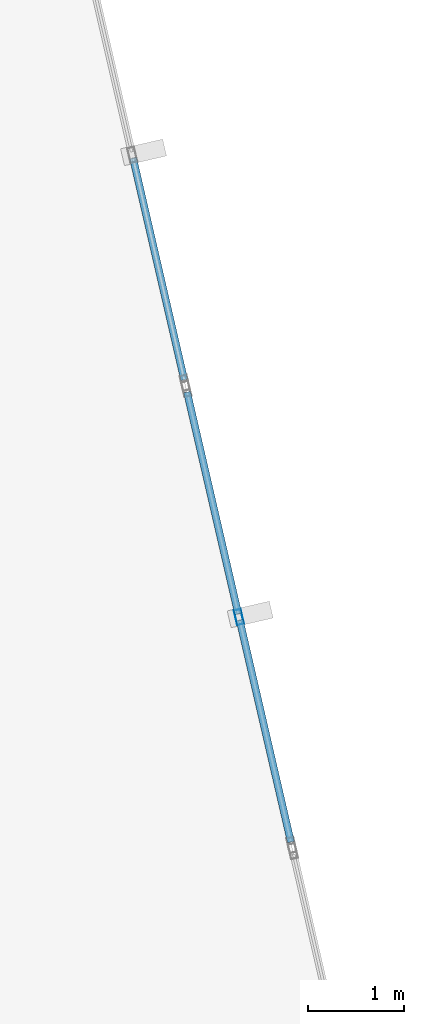
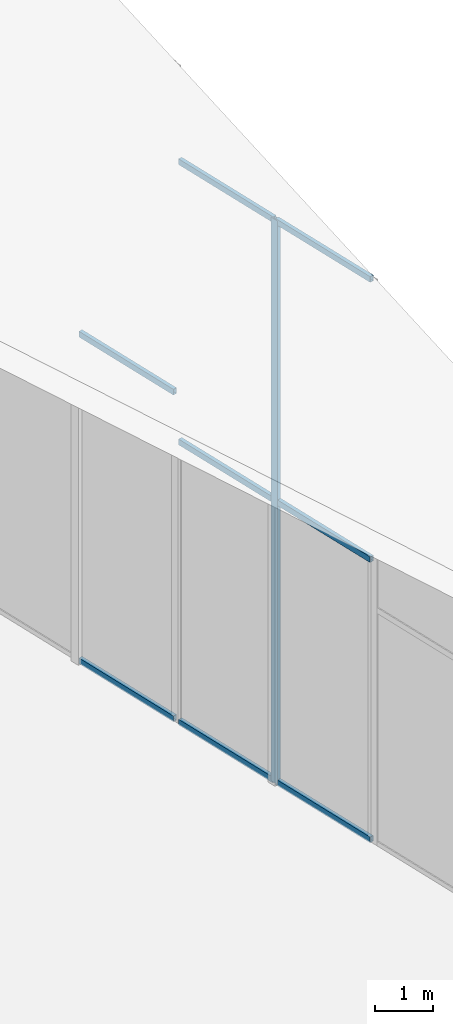
# One storey, part 61 of 74: 9 members, 2 elements without a shape of their own.
"""IFC4 building model written with IfcOpenShell, lengths in metres."""

from ifc_helpers import new_model, si_unit, direction, frame, origin, origin_2d, place, context, subcontext, project, spatial, hollow_rectangle, extrude, material, layer, layer_set, material_profile, profile_set, type_object, element, aggregate, save


model = new_model("IFC4")

# Units and contexts
model_context = context("Model", 3, precision=1e-05, world=origin(), true_north=direction((0.0, 1.0)))
body_context = subcontext(model_context, "Body", "Model", "MODEL_VIEW")
ifc_project = project(units=[si_unit("LENGTHUNIT", "METRE"), si_unit("AREAUNIT", "SQUARE_METRE"), si_unit("VOLUMEUNIT", "CUBIC_METRE"), si_unit("PLANEANGLEUNIT", "RADIAN"), si_unit("MASSUNIT", "GRAM", prefix="KILO")], contexts=[model_context])

# Site, building, storey
site_placement = place(None, origin())
site = spatial("IfcSite", under=ifc_project, at=site_placement, CompositionType="ELEMENT")
building_placement = place(site_placement, origin())
building = spatial("IfcBuilding", under=site, at=building_placement, Name="Keshet Zoharim Tower", CompositionType="ELEMENT")
storey_placement = place(building_placement, frame((0.0, 0.0, 320.0)))
storey = spatial("IfcBuildingStorey", under=building, at=storey_placement, Name="RF", CompositionType="ELEMENT", Elevation=320.0)

# Curtain wall, member
ifc_material = material(Name="Aluminium 6063-T6", Category="aluminium")
ifc_layer = layer(ifc_material, 0.260009765625)
ifc_layer_set = layer_set([ifc_layer], Name="Aluminium 6063-T6")
curtain_wall_type = type_object("IfcCurtainWallType", Name="CW-SYS-06", PredefinedType="NOTDEFINED", material=ifc_layer_set)
curtain_wall_1_placement = place(storey_placement, origin())
curtain_wall_1 = element("IfcCurtainWall", 1, at=curtain_wall_1_placement, inside=storey, type_object=curtain_wall_type, Name="Slanted Crown Curtain Wall 19", PredefinedType="NOTDEFINED")
ifc_material_profile_1 = material_profile(ifc_material, hollow_rectangle(XDim=0.074951171875, YDim=0.159912109375, WallThickness=0.00390625, at=origin_2d()), Name="MUL-75x160")
ifc_profile_set_1 = profile_set([ifc_material_profile_1], Name="Aluminium 6063-T6")
member_type_1 = type_object("IfcMemberType", Name="CWM-M15", PredefinedType="MULLION", material=ifc_profile_set_1)
member_1_placement = place(storey_placement, frame((42.136962890625, 40.305908203125, 0.0), z_axis=(0.0, 0.0, 1.0), x_axis=(0.974384378225, 0.224889047025, 0.0)))
member_1 = element("IfcMember", 2, at=member_1_placement, type_object=member_type_1, Name="CW-06 mullion 2", PredefinedType="MULLION", context=body_context, shape_type="SweptSolid", body=[
    extrude(hollow_rectangle(XDim=0.074951171875, YDim=0.159912109375, WallThickness=0.00390625, at=origin_2d()), origin(), (0.0, 0.0, 1.0), 11.7900390625),
])

# Curtain wall, members
curtain_wall_2_placement = place(storey_placement, origin())
curtain_wall_2 = element("IfcCurtainWall", 3, at=curtain_wall_2_placement, inside=storey, type_object=curtain_wall_type, Name="Slanted Crown Curtain Wall 18", PredefinedType="NOTDEFINED")
ifc_material_profile_2 = material_profile(ifc_material, hollow_rectangle(XDim=0.074951171875, YDim=0.1201171875, WallThickness=0.00390625, at=origin_2d()), Name="TRN-75x120")
ifc_profile_set_2 = profile_set([ifc_material_profile_2], Name="Aluminium 6063-T6")
member_type_2 = type_object("IfcMemberType", Name="CWT-T12", PredefinedType="USERDEFINED", material=ifc_profile_set_2)
member_2_placement = place(storey_placement, frame((41.03271484375, 45.091796875, 0.032470703125), z_axis=(0.224784406129, -0.974408523547, 0.0), x_axis=(0.974408523547, 0.224784406129, 0.0)))
member_2 = element("IfcMember", 4, at=member_2_placement, type_object=member_type_2, Name="CW-06 transom 2.1", ObjectType="TRANSOM", PredefinedType="USERDEFINED", context=body_context, shape_type="SweptSolid", body=[
    extrude(hollow_rectangle(XDim=0.074951171875, YDim=0.1201171875, WallThickness=0.00390625, at=origin_2d()), origin(), (0.0, 0.0, 1.0), 2.374267578125),
])
member_3_placement = place(storey_placement, frame((41.03271484375, 45.091796875, 6.867919921875), z_axis=(0.224784406129, -0.974408523547, 0.0), x_axis=(0.974408523547, 0.224784406129, 0.0)))
member_3 = element("IfcMember", 5, at=member_3_placement, type_object=member_type_2, Name="CW-06 transom 2.2", ObjectType="TRANSOM", PredefinedType="USERDEFINED", context=body_context, shape_type="SweptSolid", body=[
    extrude(hollow_rectangle(XDim=0.074951171875, YDim=0.1201171875, WallThickness=0.00390625, at=origin_2d()), origin(), (0.0, 0.0, 1.0), 2.374267578125),
])
aggregate(curtain_wall_2, [member_2, member_3])

# Member
member_4_placement = place(storey_placement, frame((41.595703125, 42.651611328125, 0.032470703125), z_axis=(0.224836981703, -0.974396393496, 0.0), x_axis=(0.974396393496, 0.224836981703, 0.0)))
member_4 = element("IfcMember", 6, at=member_4_placement, type_object=member_type_2, Name="CW-06 transom 1.1", ObjectType="TRANSOM", PredefinedType="USERDEFINED", context=body_context, shape_type="SweptSolid", body=[
    extrude(hollow_rectangle(XDim=0.074951171875, YDim=0.1201171875, WallThickness=0.00390625, at=origin_2d()), origin(), (0.0, 0.0, 1.0), 2.374755859375),
])

member_5_placement = place(storey_placement, frame((41.595703125, 42.651611328125, 5.89501953125), z_axis=(0.224836981703, -0.974396393496, 0.0), x_axis=(0.974396393496, 0.224836981703, 0.0)))
member_5 = element("IfcMember", 7, at=member_5_placement, type_object=member_type_2, Name="CW-06 transom 1.2", ObjectType="TRANSOM", PredefinedType="USERDEFINED", context=body_context, shape_type="SweptSolid", body=[
    extrude(hollow_rectangle(XDim=0.074951171875, YDim=0.1201171875, WallThickness=0.00390625, at=origin_2d()), origin(), (0.0, 0.0, 1.0), 2.374755859375),
])

member_6_placement = place(storey_placement, frame((41.595703125, 42.651611328125, 11.757568359375), z_axis=(0.224836981703, -0.974396393496, 0.0), x_axis=(0.974396393496, 0.224836981703, 0.0)))
member_6 = element("IfcMember", 8, at=member_6_placement, type_object=member_type_2, Name="CW-06 transom 1.3", ObjectType="TRANSOM", PredefinedType="USERDEFINED", context=body_context, shape_type="SweptSolid", body=[
    extrude(hollow_rectangle(XDim=0.074951171875, YDim=0.1201171875, WallThickness=0.00390625, at=origin_2d()), origin(), (0.0, 0.0, 1.0), 2.374755859375),
])

member_7_placement = place(storey_placement, frame((42.144287109375, 40.2744140625, 0.032470703125), z_axis=(0.224934587416, -0.974373866329, 0.0), x_axis=(0.974373866329, 0.224934587416, 0.0)))
member_7 = element("IfcMember", 9, at=member_7_placement, type_object=member_type_2, Name="CW-06 transom 2.1", ObjectType="TRANSOM", PredefinedType="USERDEFINED", context=body_context, shape_type="SweptSolid", body=[
    extrude(hollow_rectangle(XDim=0.074951171875, YDim=0.1201171875, WallThickness=0.00390625, at=origin_2d()), origin(), (0.0, 0.0, 1.0), 2.374755859375),
])

member_8_placement = place(storey_placement, frame((42.144287109375, 40.2744140625, 5.89501953125), z_axis=(0.224934587416, -0.974373866329, 0.0), x_axis=(0.974373866329, 0.224934587416, 0.0)))
member_8 = element("IfcMember", 10, at=member_8_placement, type_object=member_type_2, Name="CW-06 transom 2.2", ObjectType="TRANSOM", PredefinedType="USERDEFINED", context=body_context, shape_type="SweptSolid", body=[
    extrude(hollow_rectangle(XDim=0.074951171875, YDim=0.1201171875, WallThickness=0.00390625, at=origin_2d()), origin(), (0.0, 0.0, 1.0), 2.374755859375),
])

member_9_placement = place(storey_placement, frame((42.144287109375, 40.2744140625, 11.757568359375), z_axis=(0.224934587416, -0.974373866329, 0.0), x_axis=(0.974373866329, 0.224934587416, 0.0)))
member_9 = element("IfcMember", 11, at=member_9_placement, type_object=member_type_2, Name="CW-06 transom 2.3", ObjectType="TRANSOM", PredefinedType="USERDEFINED", context=body_context, shape_type="SweptSolid", body=[
    extrude(hollow_rectangle(XDim=0.074951171875, YDim=0.1201171875, WallThickness=0.00390625, at=origin_2d()), origin(), (0.0, 0.0, 1.0), 2.374755859375),
])

aggregate(curtain_wall_1, [member_1, member_4, member_5, member_6, member_7, member_8, member_9])

save(model, "model.ifc")
